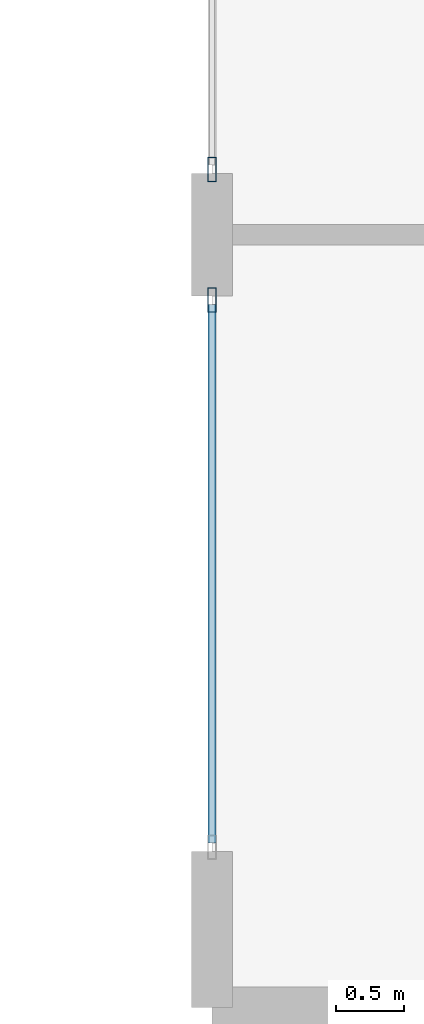
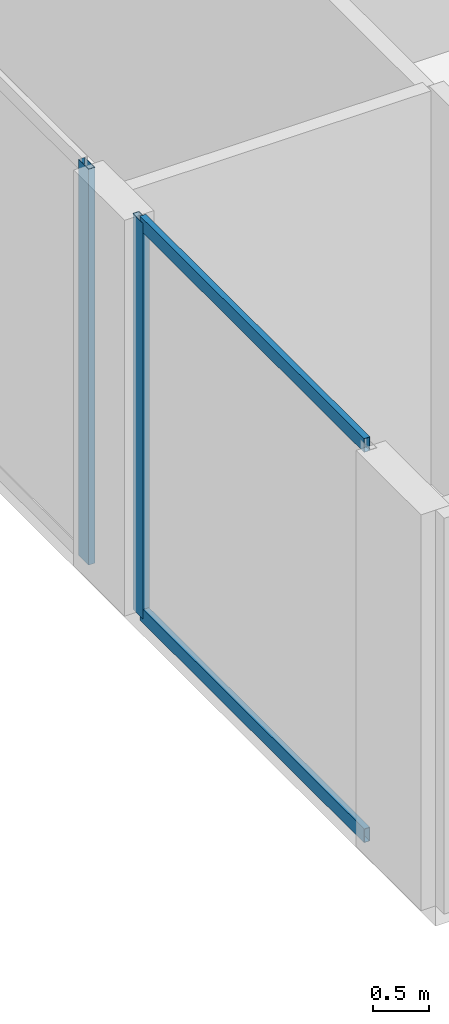
# One storey, part 3 of 33: 4 members, 2 elements without a shape of their own.
"""IFC4 building model written with IfcOpenShell, lengths in metres."""

from ifc_helpers import new_model, si_unit, direction, frame, origin, origin_2d, place, context, subcontext, project, spatial, hollow_rectangle, extrude, material, layer, layer_set, material_profile, profile_set, type_object, element, aggregate, save


model = new_model("IFC4")

# Units and contexts
model_context = context("Model", 3, precision=1e-05, world=origin(), true_north=direction((0.0, 1.0)))
body_context = subcontext(model_context, "Body", "Model", "MODEL_VIEW")
ifc_project = project(units=[si_unit("LENGTHUNIT", "METRE"), si_unit("AREAUNIT", "SQUARE_METRE"), si_unit("VOLUMEUNIT", "CUBIC_METRE"), si_unit("PLANEANGLEUNIT", "RADIAN"), si_unit("MASSUNIT", "GRAM", prefix="KILO")], contexts=[model_context])

# Site, building, storey
site_placement = place(None, origin())
site = spatial("IfcSite", under=ifc_project, at=site_placement, CompositionType="ELEMENT")
building_placement = place(site_placement, origin())
building = spatial("IfcBuilding", under=site, at=building_placement, Name="Zuhayl Quay Hotel", CompositionType="ELEMENT")
storey_placement = place(building_placement, frame((0.0, 0.0, 154.050048828125)))
storey = spatial("IfcBuildingStorey", under=building, at=storey_placement, Name="L39", CompositionType="ELEMENT", Elevation=154.050048828125)

# Curtain wall, member
ifc_material_1 = material(Name="Anodised Aluminium 6063-T6", Category="aluminium")
ifc_layer = layer(ifc_material_1, 0.179931640625, Name="Anodised Aluminium 6063-T6", Category="aluminium")
ifc_layer_set = layer_set([ifc_layer], Name="Anodised Aluminium 6063-T6")
curtain_wall_type = type_object("IfcCurtainWallType", Name="CW_SYS_Z2", PredefinedType="USERDEFINED", material=ifc_layer_set)
curtain_wall_1_placement = place(storey_placement, origin())
curtain_wall_1 = element("IfcCurtainWall", 1, at=curtain_wall_1_placement, inside=storey, type_object=curtain_wall_type, Name="L39 Curtain Wall ENV_L39_E02_CW1", ObjectType="UNITISED CURTAIN WALL", PredefinedType="USERDEFINED")
ifc_material_2 = material(Name="Black-anodised aluminium 6063-T6", Category="aluminium")
ifc_material_profile_1 = material_profile(ifc_material_2, hollow_rectangle(XDim=0.06494140625, YDim=0.179931640625, WallThickness=0.00341796875, at=origin_2d()), Name="ALU180X65")
ifc_profile_set_1 = profile_set([ifc_material_profile_1], Name="Black-anodised aluminium 6063-T6")
member_type_1 = type_object("IfcMemberType", Name="MB_CW_MUL_180", PredefinedType="MULLION", material=ifc_profile_set_1)
member_1_placement = place(storey_placement, frame((-23.89990234375, -6.6826171875, 0.0), z_axis=(0.0, 0.0, 1.0), x_axis=(-1.0, 0.0, 0.0)))
member_1 = element("IfcMember", 2, at=member_1_placement, type_object=member_type_1, Name="CW-Z2 mullion 2", PredefinedType="MULLION", context=body_context, shape_type="SweptSolid", body=[
    extrude(hollow_rectangle(XDim=0.06494140625, YDim=0.179931640625, WallThickness=0.00341796875, at=origin_2d()), origin(), (0.0, 0.0, 1.0), 4.280029296875),
])

curtain_wall_2_placement = place(storey_placement, origin())
curtain_wall_2 = element("IfcCurtainWall", 3, at=curtain_wall_2_placement, inside=storey, type_object=curtain_wall_type, Name="L39 Curtain Wall ENV_L39_E02_CW2", ObjectType="UNITISED CURTAIN WALL", PredefinedType="USERDEFINED")
member_2_placement = place(storey_placement, frame((-23.89990234375, -5.717529296875, 0.0), z_axis=(0.0, 0.0, 1.0), x_axis=(-1.0, 0.0, 0.0)))
member_2 = element("IfcMember", 4, at=member_2_placement, type_object=member_type_1, Name="CW-Z2 mullion 1", PredefinedType="MULLION", context=body_context, shape_type="SweptSolid", body=[
    extrude(hollow_rectangle(XDim=0.06494140625, YDim=0.179931640625, WallThickness=0.00341796875, at=origin_2d()), origin(), (0.0, 0.0, 1.0), 4.280029296875),
])
aggregate(curtain_wall_2, [member_2])

# Member
ifc_material_profile_2 = material_profile(ifc_material_2, hollow_rectangle(XDim=0.06005859375, YDim=0.14990234375, WallThickness=0.00341796875, at=origin_2d()), Name="ALU150X60")
ifc_profile_set_2 = profile_set([ifc_material_profile_2], Name="Black-anodised aluminium 6063-T6")
member_type_2 = type_object("IfcMemberType", Name="MB_CW_TRN_150", PredefinedType="USERDEFINED", material=ifc_profile_set_2)
member_3_placement = place(storey_placement, frame((-23.89990234375, -10.68505859375, 0.030029296875), z_axis=(0.0, 1.0, 0.0), x_axis=(-1.0, 0.0, 0.0)))
member_3 = element("IfcMember", 5, at=member_3_placement, type_object=member_type_2, Name="CW-Z2 transom 1.1", ObjectType="TRANSOM", PredefinedType="USERDEFINED", context=body_context, shape_type="SweptSolid", body=[
    extrude(hollow_rectangle(XDim=0.06005859375, YDim=0.14990234375, WallThickness=0.00341796875, at=origin_2d()), origin(), (0.0, 0.0, 1.0), 3.969970703125),
])

member_4_placement = place(storey_placement, frame((-23.89990234375, -10.68505859375, 4.25), z_axis=(0.0, 1.0, 0.0), x_axis=(-1.0, 0.0, 0.0)))
member_4 = element("IfcMember", 6, at=member_4_placement, type_object=member_type_2, Name="CW-Z2 transom 1.2", ObjectType="TRANSOM", PredefinedType="USERDEFINED", context=body_context, shape_type="SweptSolid", body=[
    extrude(hollow_rectangle(XDim=0.06005859375, YDim=0.14990234375, WallThickness=0.00341796875, at=origin_2d()), origin(), (0.0, 0.0, 1.0), 3.969970703125),
])

aggregate(curtain_wall_1, [member_1, member_3, member_4])

save(model, "model.ifc")
